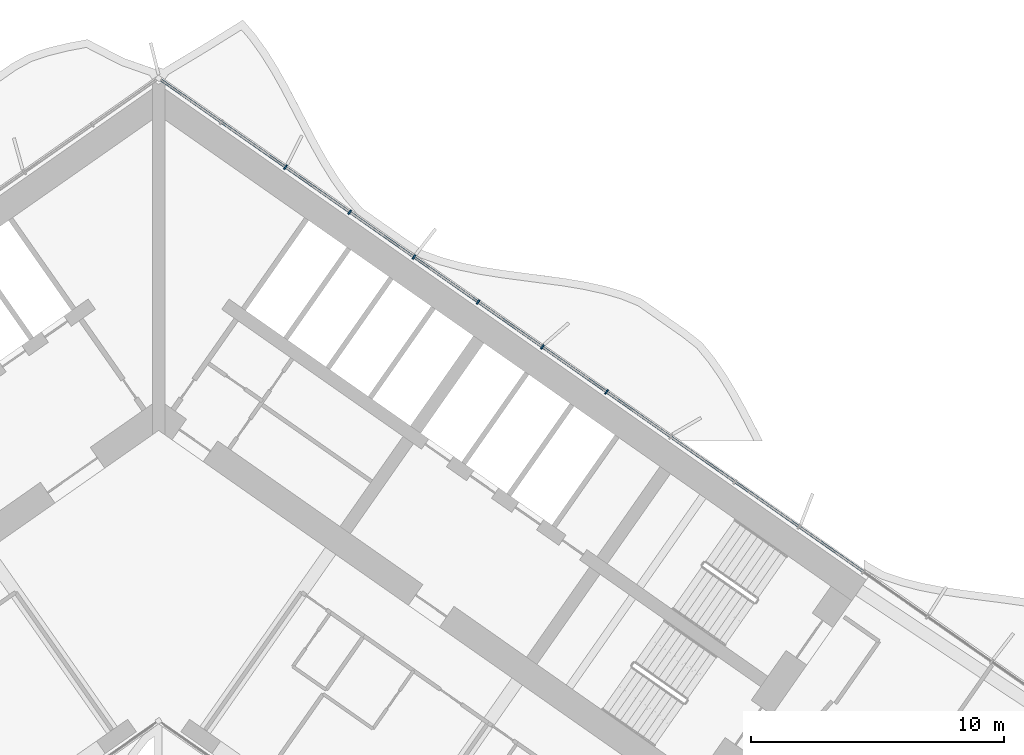
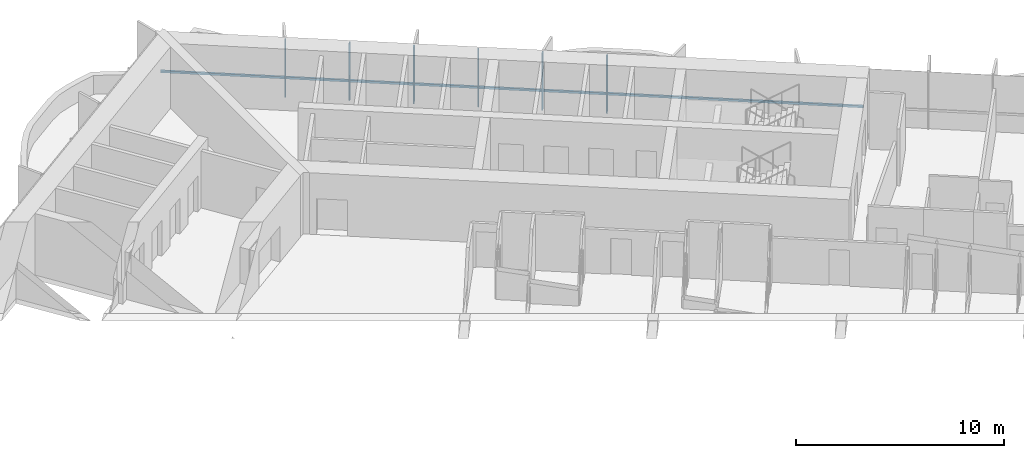
# One storey, part 8 of 24: 7 members, 1 element without a shape of its own.
"""IFC4 building model written with IfcOpenShell, lengths in metres."""

from ifc_helpers import new_model, si_unit, direction, frame, origin, origin_2d, place, context, subcontext, project, spatial, rectangle, extrude, material, material_profile, profile_set, type_object, element, aggregate, save


model = new_model("IFC4")

# Units and contexts
model_context = context("Model", 3, precision=1e-05, world=origin(), true_north=direction((0.0, 1.0)))
body_context = subcontext(model_context, "Body", "Model", "MODEL_VIEW")
ifc_project = project(units=[si_unit("LENGTHUNIT", "METRE"), si_unit("AREAUNIT", "SQUARE_METRE"), si_unit("VOLUMEUNIT", "CUBIC_METRE"), si_unit("PLANEANGLEUNIT", "RADIAN"), si_unit("MASSUNIT", "GRAM", prefix="KILO")], contexts=[model_context])

# Site, building, storey
site_placement = place(None, origin())
site = spatial("IfcSite", under=ifc_project, at=site_placement, CompositionType="ELEMENT")
building_placement = place(site_placement, origin())
building = spatial("IfcBuilding", under=site, at=building_placement, Name="Tel Ilan Convention Tower", CompositionType="ELEMENT")
storey_placement = place(building_placement, frame((0.0, 0.0, 90.5)))
storey = spatial("IfcBuildingStorey", under=building, at=storey_placement, Name="L18", CompositionType="ELEMENT", Elevation=90.5)

# Curtain wall, members
ifc_material_1 = material(Name="Aluminium, bronze anodised", Category="aluminium")
curtain_wall_type = type_object("IfcCurtainWallType", Name="CW2 STICK CURTAIN WALL, SPANDREL PANELS", PredefinedType="NOTDEFINED", material=ifc_material_1)
curtain_wall_placement = place(storey_placement, origin())
curtain_wall = element("IfcCurtainWall", 1, at=curtain_wall_placement, inside=storey, type_object=curtain_wall_type, Name="Curtain wall CW2-16.01", PredefinedType="NOTDEFINED")
ifc_material_2 = material(Name="Aluminium, bronze anodised", Category="aluminium")
ifc_material_profile_1 = material_profile(ifc_material_2, rectangle(XDim=0.06005859375, YDim=0.199951171875, at=origin_2d()), Name="CW MULLION 60x200")
ifc_profile_set_1 = profile_set([ifc_material_profile_1], Name="Aluminium, bronze anodised")
member_type_1 = type_object("IfcMemberType", Name="CW MULLION 60x200", PredefinedType="MULLION", material=ifc_profile_set_1)
member_1_placement = place(storey_placement, frame((17.701171875, 0.301513671875, 0.0), z_axis=(0.0, 0.0, 1.0), x_axis=(-0.819152044289, 0.573576436351, 0.0)))
member_1 = element("IfcMember", 2, at=member_1_placement, type_object=member_type_1, Name="Mullion", PredefinedType="MULLION", context=body_context, shape_type="SweptSolid", body=[
    extrude(rectangle(XDim=0.06005859375, YDim=0.199951171875, at=origin_2d()), origin(), (0.0, 0.0, 1.0), 3.320068359375),
])
member_2_placement = place(storey_placement, frame((15.1640625, 2.077880859375, 0.0), z_axis=(0.0, 0.0, 1.0), x_axis=(-0.819152044289, 0.573576436351, 0.0)))
member_2 = element("IfcMember", 3, at=member_2_placement, type_object=member_type_1, Name="Mullion", PredefinedType="MULLION", context=body_context, shape_type="SweptSolid", body=[
    extrude(rectangle(XDim=0.06005859375, YDim=0.199951171875, at=origin_2d()), origin(), (0.0, 0.0, 1.0), 3.320068359375),
])
member_3_placement = place(storey_placement, frame((12.627197265625, 3.854248046875, 0.0), z_axis=(0.0, 0.0, 1.0), x_axis=(-0.819152044289, 0.573576436351, 0.0)))
member_3 = element("IfcMember", 4, at=member_3_placement, type_object=member_type_1, Name="Mullion", PredefinedType="MULLION", context=body_context, shape_type="SweptSolid", body=[
    extrude(rectangle(XDim=0.06005859375, YDim=0.199951171875, at=origin_2d()), origin(), (0.0, 0.0, 1.0), 3.320068359375),
])
member_4_placement = place(storey_placement, frame((10.09033203125, 5.630615234375, 0.0), z_axis=(0.0, 0.0, 1.0), x_axis=(-0.819152044289, 0.573576436351, 0.0)))
member_4 = element("IfcMember", 5, at=member_4_placement, type_object=member_type_1, Name="Mullion", PredefinedType="MULLION", context=body_context, shape_type="SweptSolid", body=[
    extrude(rectangle(XDim=0.06005859375, YDim=0.199951171875, at=origin_2d()), origin(), (0.0, 0.0, 1.0), 3.320068359375),
])
member_5_placement = place(storey_placement, frame((7.553466796875, 7.406982421875, 0.0), z_axis=(0.0, 0.0, 1.0), x_axis=(-0.819152044289, 0.573576436351, 0.0)))
member_5 = element("IfcMember", 6, at=member_5_placement, type_object=member_type_1, Name="Mullion", PredefinedType="MULLION", context=body_context, shape_type="SweptSolid", body=[
    extrude(rectangle(XDim=0.06005859375, YDim=0.199951171875, at=origin_2d()), origin(), (0.0, 0.0, 1.0), 3.320068359375),
])
member_6_placement = place(storey_placement, frame((5.0166015625, 9.18359375, 0.0), z_axis=(0.0, 0.0, 1.0), x_axis=(-0.819152044289, 0.573576436351, 0.0)))
member_6 = element("IfcMember", 7, at=member_6_placement, type_object=member_type_1, Name="Mullion", PredefinedType="MULLION", context=body_context, shape_type="SweptSolid", body=[
    extrude(rectangle(XDim=0.06005859375, YDim=0.199951171875, at=origin_2d()), origin(), (0.0, 0.0, 1.0), 3.320068359375),
])
ifc_material_3 = material(Name="Aluminium, bronze anodised", Category="aluminium")
ifc_material_profile_2 = material_profile(ifc_material_3, rectangle(XDim=0.10009765625, YDim=0.1201171875, at=origin_2d()), Name="CW TRANSOM 100x120")
ifc_profile_set_2 = profile_set([ifc_material_profile_2], Name="Aluminium, bronze anodised")
member_type_2 = type_object("IfcMemberType", Name="CW TRANSOM 100x120", PredefinedType="USERDEFINED", material=ifc_profile_set_2)
member_7_placement = place(storey_placement, frame((27.82421875, -6.78662109375, 1.10009765625), z_axis=(-0.819151916241, 0.573576619222, 0.0), x_axis=(-0.573576619222, -0.819151916241, 0.0)))
member_7 = element("IfcMember", 8, at=member_7_placement, type_object=member_type_2, Name="Transom", ObjectType="TRANSOM", PredefinedType="USERDEFINED", context=body_context, shape_type="SweptSolid", body=[
    extrude(rectangle(XDim=0.10009765625, YDim=0.1201171875, at=origin_2d()), origin(), (0.0, 0.0, 1.0), 33.837158203125),
])
aggregate(curtain_wall, [member_1, member_2, member_3, member_4, member_5, member_6, member_7])

save(model, "model.ifc")
